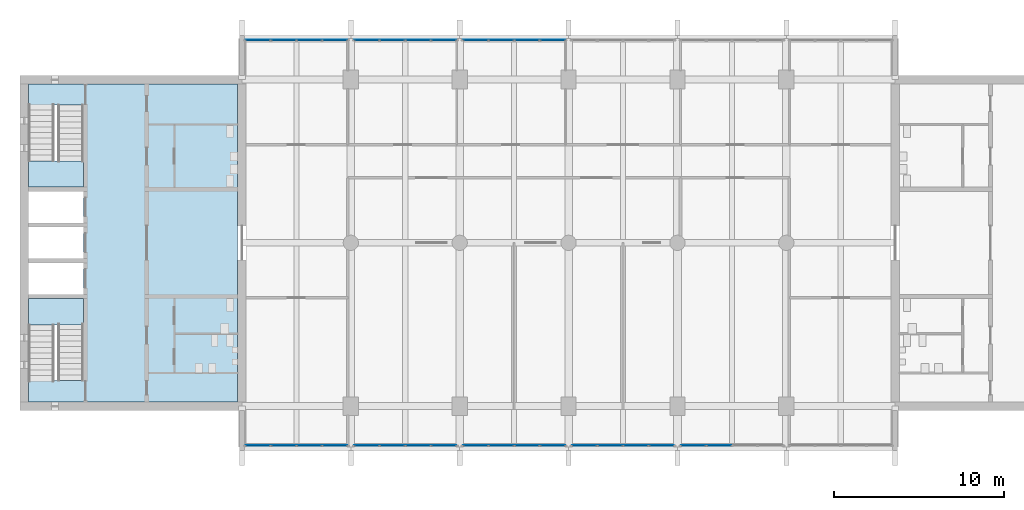
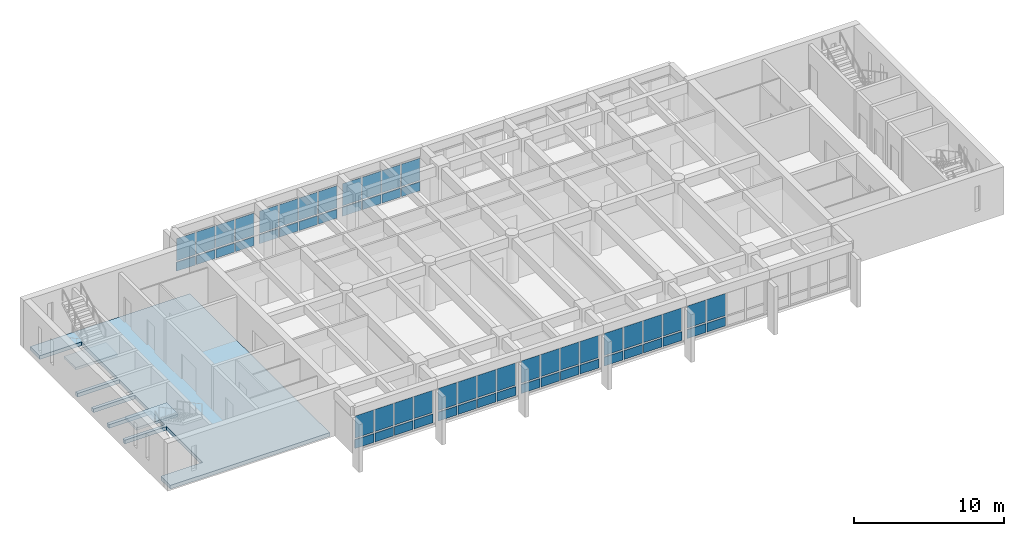
# One storey, part 7 of 15: 60 plates, 3 slabs, 10 elements without a shape of their own.
"""IFC4 building model written with IfcOpenShell, lengths in metres."""

from ifc_helpers import new_model, si_unit, direction, frame, origin, origin_2d, place, context, subcontext, project, spatial, polyline, rectangle, outline, extrude, material, layer, layer_set, type_object, element, aggregate, save


model = new_model("IFC4")

# Units and contexts
model_context = context("Model", 3, precision=1e-05, world=origin(), true_north=direction((0.0, 1.0)))
body_context = subcontext(model_context, "Body", "Model", "MODEL_VIEW")
ifc_project = project(units=[si_unit("LENGTHUNIT", "METRE"), si_unit("AREAUNIT", "SQUARE_METRE"), si_unit("VOLUMEUNIT", "CUBIC_METRE"), si_unit("PLANEANGLEUNIT", "RADIAN"), si_unit("MASSUNIT", "GRAM", prefix="KILO")], contexts=[model_context])

# Site, building, storey
site_placement = place(None, origin())
site = spatial("IfcSite", under=ifc_project, at=site_placement, CompositionType="ELEMENT")
building_placement = place(site_placement, origin())
building = spatial("IfcBuilding", under=site, at=building_placement, Name="Fogon Plaza Fire Station and Headquarters Tower", CompositionType="ELEMENT")
storey_placement = place(building_placement, frame((0.0, 0.0, 44.39990234375)))
storey = spatial("IfcBuildingStorey", under=building, at=storey_placement, Name="L11", CompositionType="ELEMENT", Elevation=44.39990234375)

# Slab
ifc_material_1 = material(Name="Concrete C40", Category="concrete")
ifc_layer_1 = layer(ifc_material_1, 0.300048828125)
ifc_layer_set_1 = layer_set([ifc_layer_1], Name="Concrete C40")
slab_type_1 = type_object("IfcSlabType", Name="Core Floor Slab RC 300", PredefinedType="FLOOR", material=ifc_layer_set_1)
slab_1_placement = place(storey_placement, frame((0.0, 0.0, -0.2998046875)))
element("IfcSlab", 1, at=slab_1_placement, inside=storey, type_object=slab_type_1, Name="Core A floor", PredefinedType="FLOOR", context=body_context, shape_type="SweptSolid", body=[
    extrude(outline(polyline([(13.050048828125, 35.110107421875), (13.050048828125, 33.85009765625), (25.35009765625, 33.85009765625), (25.35009765625, 52.550048828125), (13.050048828125, 52.550048828125), (13.050048828125, 51.2900390625), (16.27490234375, 51.2900390625), (16.27490234375, 46.47509765625), (13.050048828125, 46.47509765625), (13.050048828125, 46.22509765625), (16.27490234375, 46.22509765625), (16.27490234375, 44.375), (13.050048828125, 44.375), (13.050048828125, 44.125), (16.27490234375, 44.125), (16.27490234375, 42.27490234375), (13.050048828125, 42.27490234375), (13.050048828125, 42.02490234375), (16.27490234375, 42.02490234375), (16.27490234375, 40.175048828125), (13.050048828125, 40.175048828125), (13.050048828125, 39.925048828125), (16.27490234375, 39.925048828125), (16.27490234375, 35.110107421875), (13.050048828125, 35.110107421875)])), origin(), (0.0, 0.0, 1.0), 0.2998046875),
])

# Curtain wall, plates
ifc_material_2 = material(Name="Aluminium and glass", Category="aluminium")
ifc_layer_2 = layer(ifc_material_2, 0.14990234375)
ifc_layer_set_2 = layer_set([ifc_layer_2], Name="Aluminium and glass")
curtain_wall_type = type_object("IfcCurtainWallType", Name="Unitised Curtain Wall Run 6100x2880", PredefinedType="NOTDEFINED", material=ifc_layer_set_2)
curtain_wall_1_placement = place(storey_placement, origin())
curtain_wall_1 = element("IfcCurtainWall", 2, at=curtain_wall_1_placement, inside=storey, type_object=curtain_wall_type, Name="CW-6100x2880 S1 L11", PredefinedType="NOTDEFINED")
ifc_material_3 = material(Name="Insulated aluminium spandrel", Category="aluminium")
ifc_layer_3 = layer(ifc_material_3, 0.06005859375)
ifc_layer_set_3 = layer_set([ifc_layer_3], Name="Insulated aluminium spandrel")
plate_type_1 = type_object("IfcPlateType", Name="Insulated Spandrel Panel", PredefinedType="CURTAIN_PANEL", material=ifc_layer_set_3)
plate_1_placement = place(storey_placement, frame((26.534912109375, 31.280029296875, 0.1201171875), z_axis=(0.0, 0.0, 1.0), x_axis=(1.0, 0.0, 0.0)))
plate_1 = element("IfcPlate", 3, at=plate_1_placement, type_object=plate_type_1, Name="SP1 panel 1.1", PredefinedType="CURTAIN_PANEL", context=body_context, shape_type="SweptSolid", body=[
    extrude(rectangle(XDim=1.449951171875, YDim=0.06005859375, at=origin_2d()), origin(), (0.0, 0.0, 1.0), 0.719970703125),
])
plate_2_placement = place(storey_placement, frame((28.044921875, 31.280029296875, 0.1201171875), z_axis=(0.0, 0.0, 1.0), x_axis=(1.0, 0.0, 0.0)))
plate_2 = element("IfcPlate", 4, at=plate_2_placement, type_object=plate_type_1, Name="SP1 panel 2.1", PredefinedType="CURTAIN_PANEL", context=body_context, shape_type="SweptSolid", body=[
    extrude(rectangle(XDim=1.449951171875, YDim=0.06005859375, at=origin_2d()), origin(), (0.0, 0.0, 1.0), 0.719970703125),
])
plate_3_placement = place(storey_placement, frame((29.554931640625, 31.280029296875, 0.1201171875), z_axis=(0.0, 0.0, 1.0), x_axis=(1.0, 0.0, 0.0)))
plate_3 = element("IfcPlate", 5, at=plate_3_placement, type_object=plate_type_1, Name="SP1 panel 3.1", PredefinedType="CURTAIN_PANEL", context=body_context, shape_type="SweptSolid", body=[
    extrude(rectangle(XDim=1.449951171875, YDim=0.06005859375, at=origin_2d()), origin(), (0.0, 0.0, 1.0), 0.719970703125),
])
plate_4_placement = place(storey_placement, frame((31.06494140625, 31.280029296875, 0.1201171875), z_axis=(0.0, 0.0, 1.0), x_axis=(1.0, 0.0, 0.0)))
plate_4 = element("IfcPlate", 6, at=plate_4_placement, type_object=plate_type_1, Name="SP1 panel 4.1", PredefinedType="CURTAIN_PANEL", context=body_context, shape_type="SweptSolid", body=[
    extrude(rectangle(XDim=1.449951171875, YDim=0.06005859375, at=origin_2d()), origin(), (0.0, 0.0, 1.0), 0.719970703125),
])

curtain_wall_2_placement = place(storey_placement, origin())
curtain_wall_2 = element("IfcCurtainWall", 7, at=curtain_wall_2_placement, inside=storey, type_object=curtain_wall_type, Name="CW-6100x2880 S2 L11", PredefinedType="NOTDEFINED")
plate_5_placement = place(storey_placement, frame((32.93505859375, 31.280029296875, 0.1201171875), z_axis=(0.0, 0.0, 1.0), x_axis=(1.0, 0.0, 0.0)))
plate_5 = element("IfcPlate", 8, at=plate_5_placement, type_object=plate_type_1, Name="SP1 panel 1.1", PredefinedType="CURTAIN_PANEL", context=body_context, shape_type="SweptSolid", body=[
    extrude(rectangle(XDim=1.449951171875, YDim=0.06005859375, at=origin_2d()), origin(), (0.0, 0.0, 1.0), 0.719970703125),
])
plate_6_placement = place(storey_placement, frame((34.445068359375, 31.280029296875, 0.1201171875), z_axis=(0.0, 0.0, 1.0), x_axis=(1.0, 0.0, 0.0)))
plate_6 = element("IfcPlate", 9, at=plate_6_placement, type_object=plate_type_1, Name="SP1 panel 2.1", PredefinedType="CURTAIN_PANEL", context=body_context, shape_type="SweptSolid", body=[
    extrude(rectangle(XDim=1.449951171875, YDim=0.06005859375, at=origin_2d()), origin(), (0.0, 0.0, 1.0), 0.719970703125),
])
plate_7_placement = place(storey_placement, frame((35.955078125, 31.280029296875, 0.1201171875), z_axis=(0.0, 0.0, 1.0), x_axis=(1.0, 0.0, 0.0)))
plate_7 = element("IfcPlate", 10, at=plate_7_placement, type_object=plate_type_1, Name="SP1 panel 3.1", PredefinedType="CURTAIN_PANEL", context=body_context, shape_type="SweptSolid", body=[
    extrude(rectangle(XDim=1.449951171875, YDim=0.06005859375, at=origin_2d()), origin(), (0.0, 0.0, 1.0), 0.719970703125),
])
plate_8_placement = place(storey_placement, frame((37.465087890625, 31.280029296875, 0.1201171875), z_axis=(0.0, 0.0, 1.0), x_axis=(1.0, 0.0, 0.0)))
plate_8 = element("IfcPlate", 11, at=plate_8_placement, type_object=plate_type_1, Name="SP1 panel 4.1", PredefinedType="CURTAIN_PANEL", context=body_context, shape_type="SweptSolid", body=[
    extrude(rectangle(XDim=1.449951171875, YDim=0.06005859375, at=origin_2d()), origin(), (0.0, 0.0, 1.0), 0.719970703125),
])

curtain_wall_3_placement = place(storey_placement, origin())
curtain_wall_3 = element("IfcCurtainWall", 12, at=curtain_wall_3_placement, inside=storey, type_object=curtain_wall_type, Name="CW-6100x2880 S3 L11", PredefinedType="NOTDEFINED")
plate_9_placement = place(storey_placement, frame((39.3349609375, 31.280029296875, 0.1201171875), z_axis=(0.0, 0.0, 1.0), x_axis=(1.0, 0.0, 0.0)))
plate_9 = element("IfcPlate", 13, at=plate_9_placement, type_object=plate_type_1, Name="SP1 panel 1.1", PredefinedType="CURTAIN_PANEL", context=body_context, shape_type="SweptSolid", body=[
    extrude(rectangle(XDim=1.449951171875, YDim=0.06005859375, at=origin_2d()), origin(), (0.0, 0.0, 1.0), 0.719970703125),
])
plate_10_placement = place(storey_placement, frame((40.844970703125, 31.280029296875, 0.1201171875), z_axis=(0.0, 0.0, 1.0), x_axis=(1.0, 0.0, 0.0)))
plate_10 = element("IfcPlate", 14, at=plate_10_placement, type_object=plate_type_1, Name="SP1 panel 2.1", PredefinedType="CURTAIN_PANEL", context=body_context, shape_type="SweptSolid", body=[
    extrude(rectangle(XDim=1.449951171875, YDim=0.06005859375, at=origin_2d()), origin(), (0.0, 0.0, 1.0), 0.719970703125),
])
plate_11_placement = place(storey_placement, frame((42.35498046875, 31.280029296875, 0.1201171875), z_axis=(0.0, 0.0, 1.0), x_axis=(1.0, 0.0, 0.0)))
plate_11 = element("IfcPlate", 15, at=plate_11_placement, type_object=plate_type_1, Name="SP1 panel 3.1", PredefinedType="CURTAIN_PANEL", context=body_context, shape_type="SweptSolid", body=[
    extrude(rectangle(XDim=1.449951171875, YDim=0.06005859375, at=origin_2d()), origin(), (0.0, 0.0, 1.0), 0.719970703125),
])
plate_12_placement = place(storey_placement, frame((43.864990234375, 31.280029296875, 0.1201171875), z_axis=(0.0, 0.0, 1.0), x_axis=(1.0, 0.0, 0.0)))
plate_12 = element("IfcPlate", 16, at=plate_12_placement, type_object=plate_type_1, Name="SP1 panel 4.1", PredefinedType="CURTAIN_PANEL", context=body_context, shape_type="SweptSolid", body=[
    extrude(rectangle(XDim=1.449951171875, YDim=0.06005859375, at=origin_2d()), origin(), (0.0, 0.0, 1.0), 0.719970703125),
])

curtain_wall_4_placement = place(storey_placement, origin())
curtain_wall_4 = element("IfcCurtainWall", 17, at=curtain_wall_4_placement, inside=storey, type_object=curtain_wall_type, Name="CW-6100x2880 S4 L11", PredefinedType="NOTDEFINED")
plate_13_placement = place(storey_placement, frame((45.735107421875, 31.280029296875, 0.1201171875), z_axis=(0.0, 0.0, 1.0), x_axis=(1.0, 0.0, 0.0)))
plate_13 = element("IfcPlate", 18, at=plate_13_placement, type_object=plate_type_1, Name="SP1 panel 1.1", PredefinedType="CURTAIN_PANEL", context=body_context, shape_type="SweptSolid", body=[
    extrude(rectangle(XDim=1.449951171875, YDim=0.06005859375, at=origin_2d()), origin(), (0.0, 0.0, 1.0), 0.719970703125),
])
plate_14_placement = place(storey_placement, frame((47.2451171875, 31.280029296875, 0.1201171875), z_axis=(0.0, 0.0, 1.0), x_axis=(1.0, 0.0, 0.0)))
plate_14 = element("IfcPlate", 19, at=plate_14_placement, type_object=plate_type_1, Name="SP1 panel 2.1", PredefinedType="CURTAIN_PANEL", context=body_context, shape_type="SweptSolid", body=[
    extrude(rectangle(XDim=1.449951171875, YDim=0.06005859375, at=origin_2d()), origin(), (0.0, 0.0, 1.0), 0.719970703125),
])
plate_15_placement = place(storey_placement, frame((48.7548828125, 31.280029296875, 0.1201171875), z_axis=(0.0, 0.0, 1.0), x_axis=(1.0, 0.0, 0.0)))
plate_15 = element("IfcPlate", 20, at=plate_15_placement, type_object=plate_type_1, Name="SP1 panel 3.1", PredefinedType="CURTAIN_PANEL", context=body_context, shape_type="SweptSolid", body=[
    extrude(rectangle(XDim=1.449951171875, YDim=0.06005859375, at=origin_2d()), origin(), (0.0, 0.0, 1.0), 0.719970703125),
])
plate_16_placement = place(storey_placement, frame((50.264892578125, 31.280029296875, 0.1201171875), z_axis=(0.0, 0.0, 1.0), x_axis=(1.0, 0.0, 0.0)))
plate_16 = element("IfcPlate", 21, at=plate_16_placement, type_object=plate_type_1, Name="SP1 panel 4.1", PredefinedType="CURTAIN_PANEL", context=body_context, shape_type="SweptSolid", body=[
    extrude(rectangle(XDim=1.449951171875, YDim=0.06005859375, at=origin_2d()), origin(), (0.0, 0.0, 1.0), 0.719970703125),
])

curtain_wall_5_placement = place(storey_placement, origin())
curtain_wall_5 = element("IfcCurtainWall", 22, at=curtain_wall_5_placement, inside=storey, type_object=curtain_wall_type, Name="CW-6100x2880 S5 L11", PredefinedType="NOTDEFINED")
plate_17_placement = place(storey_placement, frame((52.135009765625, 31.280029296875, 0.1201171875), z_axis=(0.0, 0.0, 1.0), x_axis=(1.0, 0.0, 0.0)))
plate_17 = element("IfcPlate", 23, at=plate_17_placement, type_object=plate_type_1, Name="SP1 panel 1.1", PredefinedType="CURTAIN_PANEL", context=body_context, shape_type="SweptSolid", body=[
    extrude(rectangle(XDim=1.449951171875, YDim=0.06005859375, at=origin_2d()), origin(), (0.0, 0.0, 1.0), 0.719970703125),
])
plate_18_placement = place(storey_placement, frame((53.64501953125, 31.280029296875, 0.1201171875), z_axis=(0.0, 0.0, 1.0), x_axis=(1.0, 0.0, 0.0)))
plate_18 = element("IfcPlate", 24, at=plate_18_placement, type_object=plate_type_1, Name="SP1 panel 2.1", PredefinedType="CURTAIN_PANEL", context=body_context, shape_type="SweptSolid", body=[
    extrude(rectangle(XDim=1.449951171875, YDim=0.06005859375, at=origin_2d()), origin(), (0.0, 0.0, 1.0), 0.719970703125),
])

curtain_wall_6_placement = place(storey_placement, origin())
curtain_wall_6 = element("IfcCurtainWall", 25, at=curtain_wall_6_placement, inside=storey, type_object=curtain_wall_type, Name="CW-6100x2880 N1 L11", PredefinedType="NOTDEFINED")
plate_19_placement = place(storey_placement, frame((26.534912109375, 55.1201171875, 0.1201171875), z_axis=(0.0, 0.0, 1.0), x_axis=(1.0, 0.0, 0.0)))
plate_19 = element("IfcPlate", 26, at=plate_19_placement, type_object=plate_type_1, Name="SP1 panel 1.1", PredefinedType="CURTAIN_PANEL", context=body_context, shape_type="SweptSolid", body=[
    extrude(rectangle(XDim=1.449951171875, YDim=0.06005859375, at=origin_2d()), origin(), (0.0, 0.0, 1.0), 0.719970703125),
])
plate_20_placement = place(storey_placement, frame((28.044921875, 55.1201171875, 0.1201171875), z_axis=(0.0, 0.0, 1.0), x_axis=(1.0, 0.0, 0.0)))
plate_20 = element("IfcPlate", 27, at=plate_20_placement, type_object=plate_type_1, Name="SP1 panel 2.1", PredefinedType="CURTAIN_PANEL", context=body_context, shape_type="SweptSolid", body=[
    extrude(rectangle(XDim=1.449951171875, YDim=0.06005859375, at=origin_2d()), origin(), (0.0, 0.0, 1.0), 0.719970703125),
])
plate_21_placement = place(storey_placement, frame((29.554931640625, 55.1201171875, 0.1201171875), z_axis=(0.0, 0.0, 1.0), x_axis=(1.0, 0.0, 0.0)))
plate_21 = element("IfcPlate", 28, at=plate_21_placement, type_object=plate_type_1, Name="SP1 panel 3.1", PredefinedType="CURTAIN_PANEL", context=body_context, shape_type="SweptSolid", body=[
    extrude(rectangle(XDim=1.449951171875, YDim=0.06005859375, at=origin_2d()), origin(), (0.0, 0.0, 1.0), 0.719970703125),
])
plate_22_placement = place(storey_placement, frame((31.06494140625, 55.1201171875, 0.1201171875), z_axis=(0.0, 0.0, 1.0), x_axis=(1.0, 0.0, 0.0)))
plate_22 = element("IfcPlate", 29, at=plate_22_placement, type_object=plate_type_1, Name="SP1 panel 4.1", PredefinedType="CURTAIN_PANEL", context=body_context, shape_type="SweptSolid", body=[
    extrude(rectangle(XDim=1.449951171875, YDim=0.06005859375, at=origin_2d()), origin(), (0.0, 0.0, 1.0), 0.719970703125),
])

curtain_wall_7_placement = place(storey_placement, origin())
curtain_wall_7 = element("IfcCurtainWall", 30, at=curtain_wall_7_placement, inside=storey, type_object=curtain_wall_type, Name="CW-6100x2880 N2 L11", PredefinedType="NOTDEFINED")
plate_23_placement = place(storey_placement, frame((32.93505859375, 55.1201171875, 0.1201171875), z_axis=(0.0, 0.0, 1.0), x_axis=(1.0, 0.0, 0.0)))
plate_23 = element("IfcPlate", 31, at=plate_23_placement, type_object=plate_type_1, Name="SP1 panel 1.1", PredefinedType="CURTAIN_PANEL", context=body_context, shape_type="SweptSolid", body=[
    extrude(rectangle(XDim=1.449951171875, YDim=0.06005859375, at=origin_2d()), origin(), (0.0, 0.0, 1.0), 0.719970703125),
])
plate_24_placement = place(storey_placement, frame((34.445068359375, 55.1201171875, 0.1201171875), z_axis=(0.0, 0.0, 1.0), x_axis=(1.0, 0.0, 0.0)))
plate_24 = element("IfcPlate", 32, at=plate_24_placement, type_object=plate_type_1, Name="SP1 panel 2.1", PredefinedType="CURTAIN_PANEL", context=body_context, shape_type="SweptSolid", body=[
    extrude(rectangle(XDim=1.449951171875, YDim=0.06005859375, at=origin_2d()), origin(), (0.0, 0.0, 1.0), 0.719970703125),
])
plate_25_placement = place(storey_placement, frame((35.955078125, 55.1201171875, 0.1201171875), z_axis=(0.0, 0.0, 1.0), x_axis=(1.0, 0.0, 0.0)))
plate_25 = element("IfcPlate", 33, at=plate_25_placement, type_object=plate_type_1, Name="SP1 panel 3.1", PredefinedType="CURTAIN_PANEL", context=body_context, shape_type="SweptSolid", body=[
    extrude(rectangle(XDim=1.449951171875, YDim=0.06005859375, at=origin_2d()), origin(), (0.0, 0.0, 1.0), 0.719970703125),
])
plate_26_placement = place(storey_placement, frame((37.465087890625, 55.1201171875, 0.1201171875), z_axis=(0.0, 0.0, 1.0), x_axis=(1.0, 0.0, 0.0)))
plate_26 = element("IfcPlate", 34, at=plate_26_placement, type_object=plate_type_1, Name="SP1 panel 4.1", PredefinedType="CURTAIN_PANEL", context=body_context, shape_type="SweptSolid", body=[
    extrude(rectangle(XDim=1.449951171875, YDim=0.06005859375, at=origin_2d()), origin(), (0.0, 0.0, 1.0), 0.719970703125),
])

curtain_wall_8_placement = place(storey_placement, origin())
curtain_wall_8 = element("IfcCurtainWall", 35, at=curtain_wall_8_placement, inside=storey, type_object=curtain_wall_type, Name="CW-6100x2880 N3 L11", PredefinedType="NOTDEFINED")
plate_27_placement = place(storey_placement, frame((39.3349609375, 55.1201171875, 0.1201171875), z_axis=(0.0, 0.0, 1.0), x_axis=(1.0, 0.0, 0.0)))
plate_27 = element("IfcPlate", 36, at=plate_27_placement, type_object=plate_type_1, Name="SP1 panel 1.1", PredefinedType="CURTAIN_PANEL", context=body_context, shape_type="SweptSolid", body=[
    extrude(rectangle(XDim=1.449951171875, YDim=0.06005859375, at=origin_2d()), origin(), (0.0, 0.0, 1.0), 0.719970703125),
])
plate_28_placement = place(storey_placement, frame((40.844970703125, 55.1201171875, 0.1201171875), z_axis=(0.0, 0.0, 1.0), x_axis=(1.0, 0.0, 0.0)))
plate_28 = element("IfcPlate", 37, at=plate_28_placement, type_object=plate_type_1, Name="SP1 panel 2.1", PredefinedType="CURTAIN_PANEL", context=body_context, shape_type="SweptSolid", body=[
    extrude(rectangle(XDim=1.449951171875, YDim=0.06005859375, at=origin_2d()), origin(), (0.0, 0.0, 1.0), 0.719970703125),
])
plate_29_placement = place(storey_placement, frame((42.35498046875, 55.1201171875, 0.1201171875), z_axis=(0.0, 0.0, 1.0), x_axis=(1.0, 0.0, 0.0)))
plate_29 = element("IfcPlate", 38, at=plate_29_placement, type_object=plate_type_1, Name="SP1 panel 3.1", PredefinedType="CURTAIN_PANEL", context=body_context, shape_type="SweptSolid", body=[
    extrude(rectangle(XDim=1.449951171875, YDim=0.06005859375, at=origin_2d()), origin(), (0.0, 0.0, 1.0), 0.719970703125),
])
plate_30_placement = place(storey_placement, frame((43.864990234375, 55.1201171875, 0.1201171875), z_axis=(0.0, 0.0, 1.0), x_axis=(1.0, 0.0, 0.0)))
plate_30 = element("IfcPlate", 39, at=plate_30_placement, type_object=plate_type_1, Name="SP1 panel 4.1", PredefinedType="CURTAIN_PANEL", context=body_context, shape_type="SweptSolid", body=[
    extrude(rectangle(XDim=1.449951171875, YDim=0.06005859375, at=origin_2d()), origin(), (0.0, 0.0, 1.0), 0.719970703125),
])

# Stair, slab
ifc_material_4 = material(Name="Concrete C40", Category="concrete")
stair_type = type_object("IfcStairType", Name="Exit Stair Two Flights", PredefinedType="TWO_STRAIGHT_RUN_STAIR", material=ifc_material_4)
stair_1_placement = place(storey_placement, origin())
stair_1 = element("IfcStair", 40, at=stair_1_placement, inside=storey, type_object=stair_type, Name="Stair ST1", PredefinedType="TWO_STRAIGHT_RUN_STAIR")
ifc_material_5 = material(Name="Concrete C40", Category="concrete")
ifc_layer_4 = layer(ifc_material_5, 0.300048828125)
ifc_layer_set_4 = layer_set([ifc_layer_4], Name="Concrete C40")
slab_type_2 = type_object("IfcSlabType", Name="Stair Landing RC 300", PredefinedType="LANDING", material=ifc_layer_set_4)
slab_2_placement = place(storey_placement, frame((0.0, 0.0, 1.75)))
slab_2 = element("IfcSlab", 41, at=slab_2_placement, type_object=slab_type_2, Name="ST1 landing L13", PredefinedType="LANDING", context=body_context, shape_type="SweptSolid", body=[
    extrude(outline(polyline([(16.27490234375, 38.375), (16.27490234375, 39.925048828125), (13.050048828125, 39.925048828125), (13.050048828125, 38.375), (16.27490234375, 38.375)])), origin(), (0.0, 0.0, 1.0), 0.2001953125),
])
aggregate(stair_1, [slab_2])

stair_2_placement = place(storey_placement, origin())
stair_2 = element("IfcStair", 42, at=stair_2_placement, inside=storey, type_object=stair_type, Name="Stair ST2", PredefinedType="TWO_STRAIGHT_RUN_STAIR")
slab_3_placement = place(storey_placement, frame((0.0, 0.0, 1.75)))
slab_3 = element("IfcSlab", 43, at=slab_3_placement, type_object=slab_type_2, Name="ST2 landing L13", PredefinedType="LANDING", context=body_context, shape_type="SweptSolid", body=[
    extrude(outline(polyline([(16.27490234375, 46.47509765625), (16.27490234375, 48.02490234375), (13.050048828125, 48.02490234375), (13.050048828125, 46.47509765625), (16.27490234375, 46.47509765625)])), origin(), (0.0, 0.0, 1.0), 0.2001953125),
])
aggregate(stair_2, [slab_3])

# Plate
ifc_material_6 = material(Name="Low-e double glazing", Category="glass")
ifc_layer_5 = layer(ifc_material_6, 0.028076171875)
ifc_layer_set_5 = layer_set([ifc_layer_5], Name="Low-e double glazing")
plate_type_2 = type_object("IfcPlateType", Name="Vision Glass Panel 1450x1800", PredefinedType="CURTAIN_PANEL", material=ifc_layer_set_5)
plate_31_placement = place(storey_placement, frame((26.534912109375, 31.280029296875, 0.9599609375), z_axis=(0.0, 0.0, 1.0), x_axis=(1.0, 0.0, 0.0)))
plate_31 = element("IfcPlate", 44, at=plate_31_placement, type_object=plate_type_2, Name="VG-1450x1800 panel 1.2", PredefinedType="CURTAIN_PANEL", context=body_context, shape_type="SweptSolid", body=[
    extrude(rectangle(XDim=1.449951171875, YDim=0.028076171875, at=origin_2d()), origin(), (0.0, 0.0, 1.0), 1.800048828125),
])

plate_32_placement = place(storey_placement, frame((28.044921875, 31.280029296875, 0.9599609375), z_axis=(0.0, 0.0, 1.0), x_axis=(1.0, 0.0, 0.0)))
plate_32 = element("IfcPlate", 45, at=plate_32_placement, type_object=plate_type_2, Name="VG-1450x1800 panel 2.2", PredefinedType="CURTAIN_PANEL", context=body_context, shape_type="SweptSolid", body=[
    extrude(rectangle(XDim=1.449951171875, YDim=0.028076171875, at=origin_2d()), origin(), (0.0, 0.0, 1.0), 1.800048828125),
])

plate_33_placement = place(storey_placement, frame((29.554931640625, 31.280029296875, 0.9599609375), z_axis=(0.0, 0.0, 1.0), x_axis=(1.0, 0.0, 0.0)))
plate_33 = element("IfcPlate", 46, at=plate_33_placement, type_object=plate_type_2, Name="VG-1450x1800 panel 3.2", PredefinedType="CURTAIN_PANEL", context=body_context, shape_type="SweptSolid", body=[
    extrude(rectangle(XDim=1.449951171875, YDim=0.028076171875, at=origin_2d()), origin(), (0.0, 0.0, 1.0), 1.800048828125),
])

plate_34_placement = place(storey_placement, frame((31.06494140625, 31.280029296875, 0.9599609375), z_axis=(0.0, 0.0, 1.0), x_axis=(1.0, 0.0, 0.0)))
plate_34 = element("IfcPlate", 47, at=plate_34_placement, type_object=plate_type_2, Name="VG-1450x1800 panel 4.2", PredefinedType="CURTAIN_PANEL", context=body_context, shape_type="SweptSolid", body=[
    extrude(rectangle(XDim=1.449951171875, YDim=0.028076171875, at=origin_2d()), origin(), (0.0, 0.0, 1.0), 1.800048828125),
])

aggregate(curtain_wall_1, [plate_1, plate_31, plate_2, plate_32, plate_3, plate_33, plate_4, plate_34])

plate_35_placement = place(storey_placement, frame((32.93505859375, 31.280029296875, 0.9599609375), z_axis=(0.0, 0.0, 1.0), x_axis=(1.0, 0.0, 0.0)))
plate_35 = element("IfcPlate", 48, at=plate_35_placement, type_object=plate_type_2, Name="VG-1450x1800 panel 1.2", PredefinedType="CURTAIN_PANEL", context=body_context, shape_type="SweptSolid", body=[
    extrude(rectangle(XDim=1.449951171875, YDim=0.028076171875, at=origin_2d()), origin(), (0.0, 0.0, 1.0), 1.800048828125),
])

plate_36_placement = place(storey_placement, frame((34.445068359375, 31.280029296875, 0.9599609375), z_axis=(0.0, 0.0, 1.0), x_axis=(1.0, 0.0, 0.0)))
plate_36 = element("IfcPlate", 49, at=plate_36_placement, type_object=plate_type_2, Name="VG-1450x1800 panel 2.2", PredefinedType="CURTAIN_PANEL", context=body_context, shape_type="SweptSolid", body=[
    extrude(rectangle(XDim=1.449951171875, YDim=0.028076171875, at=origin_2d()), origin(), (0.0, 0.0, 1.0), 1.800048828125),
])

plate_37_placement = place(storey_placement, frame((35.955078125, 31.280029296875, 0.9599609375), z_axis=(0.0, 0.0, 1.0), x_axis=(1.0, 0.0, 0.0)))
plate_37 = element("IfcPlate", 50, at=plate_37_placement, type_object=plate_type_2, Name="VG-1450x1800 panel 3.2", PredefinedType="CURTAIN_PANEL", context=body_context, shape_type="SweptSolid", body=[
    extrude(rectangle(XDim=1.449951171875, YDim=0.028076171875, at=origin_2d()), origin(), (0.0, 0.0, 1.0), 1.800048828125),
])

plate_38_placement = place(storey_placement, frame((37.465087890625, 31.280029296875, 0.9599609375), z_axis=(0.0, 0.0, 1.0), x_axis=(1.0, 0.0, 0.0)))
plate_38 = element("IfcPlate", 51, at=plate_38_placement, type_object=plate_type_2, Name="VG-1450x1800 panel 4.2", PredefinedType="CURTAIN_PANEL", context=body_context, shape_type="SweptSolid", body=[
    extrude(rectangle(XDim=1.449951171875, YDim=0.028076171875, at=origin_2d()), origin(), (0.0, 0.0, 1.0), 1.800048828125),
])

aggregate(curtain_wall_2, [plate_5, plate_35, plate_6, plate_36, plate_7, plate_37, plate_8, plate_38])

plate_39_placement = place(storey_placement, frame((39.3349609375, 31.280029296875, 0.9599609375), z_axis=(0.0, 0.0, 1.0), x_axis=(1.0, 0.0, 0.0)))
plate_39 = element("IfcPlate", 52, at=plate_39_placement, type_object=plate_type_2, Name="VG-1450x1800 panel 1.2", PredefinedType="CURTAIN_PANEL", context=body_context, shape_type="SweptSolid", body=[
    extrude(rectangle(XDim=1.449951171875, YDim=0.028076171875, at=origin_2d()), origin(), (0.0, 0.0, 1.0), 1.800048828125),
])

plate_40_placement = place(storey_placement, frame((40.844970703125, 31.280029296875, 0.9599609375), z_axis=(0.0, 0.0, 1.0), x_axis=(1.0, 0.0, 0.0)))
plate_40 = element("IfcPlate", 53, at=plate_40_placement, type_object=plate_type_2, Name="VG-1450x1800 panel 2.2", PredefinedType="CURTAIN_PANEL", context=body_context, shape_type="SweptSolid", body=[
    extrude(rectangle(XDim=1.449951171875, YDim=0.028076171875, at=origin_2d()), origin(), (0.0, 0.0, 1.0), 1.800048828125),
])

plate_41_placement = place(storey_placement, frame((42.35498046875, 31.280029296875, 0.9599609375), z_axis=(0.0, 0.0, 1.0), x_axis=(1.0, 0.0, 0.0)))
plate_41 = element("IfcPlate", 54, at=plate_41_placement, type_object=plate_type_2, Name="VG-1450x1800 panel 3.2", PredefinedType="CURTAIN_PANEL", context=body_context, shape_type="SweptSolid", body=[
    extrude(rectangle(XDim=1.449951171875, YDim=0.028076171875, at=origin_2d()), origin(), (0.0, 0.0, 1.0), 1.800048828125),
])

plate_42_placement = place(storey_placement, frame((43.864990234375, 31.280029296875, 0.9599609375), z_axis=(0.0, 0.0, 1.0), x_axis=(1.0, 0.0, 0.0)))
plate_42 = element("IfcPlate", 55, at=plate_42_placement, type_object=plate_type_2, Name="VG-1450x1800 panel 4.2", PredefinedType="CURTAIN_PANEL", context=body_context, shape_type="SweptSolid", body=[
    extrude(rectangle(XDim=1.449951171875, YDim=0.028076171875, at=origin_2d()), origin(), (0.0, 0.0, 1.0), 1.800048828125),
])

aggregate(curtain_wall_3, [plate_9, plate_39, plate_10, plate_40, plate_11, plate_41, plate_12, plate_42])

plate_43_placement = place(storey_placement, frame((45.735107421875, 31.280029296875, 0.9599609375), z_axis=(0.0, 0.0, 1.0), x_axis=(1.0, 0.0, 0.0)))
plate_43 = element("IfcPlate", 56, at=plate_43_placement, type_object=plate_type_2, Name="VG-1450x1800 panel 1.2", PredefinedType="CURTAIN_PANEL", context=body_context, shape_type="SweptSolid", body=[
    extrude(rectangle(XDim=1.449951171875, YDim=0.028076171875, at=origin_2d()), origin(), (0.0, 0.0, 1.0), 1.800048828125),
])

plate_44_placement = place(storey_placement, frame((47.2451171875, 31.280029296875, 0.9599609375), z_axis=(0.0, 0.0, 1.0), x_axis=(1.0, 0.0, 0.0)))
plate_44 = element("IfcPlate", 57, at=plate_44_placement, type_object=plate_type_2, Name="VG-1450x1800 panel 2.2", PredefinedType="CURTAIN_PANEL", context=body_context, shape_type="SweptSolid", body=[
    extrude(rectangle(XDim=1.449951171875, YDim=0.028076171875, at=origin_2d()), origin(), (0.0, 0.0, 1.0), 1.800048828125),
])

plate_45_placement = place(storey_placement, frame((48.7548828125, 31.280029296875, 0.9599609375), z_axis=(0.0, 0.0, 1.0), x_axis=(1.0, 0.0, 0.0)))
plate_45 = element("IfcPlate", 58, at=plate_45_placement, type_object=plate_type_2, Name="VG-1450x1800 panel 3.2", PredefinedType="CURTAIN_PANEL", context=body_context, shape_type="SweptSolid", body=[
    extrude(rectangle(XDim=1.449951171875, YDim=0.028076171875, at=origin_2d()), origin(), (0.0, 0.0, 1.0), 1.800048828125),
])

plate_46_placement = place(storey_placement, frame((50.264892578125, 31.280029296875, 0.9599609375), z_axis=(0.0, 0.0, 1.0), x_axis=(1.0, 0.0, 0.0)))
plate_46 = element("IfcPlate", 59, at=plate_46_placement, type_object=plate_type_2, Name="VG-1450x1800 panel 4.2", PredefinedType="CURTAIN_PANEL", context=body_context, shape_type="SweptSolid", body=[
    extrude(rectangle(XDim=1.449951171875, YDim=0.028076171875, at=origin_2d()), origin(), (0.0, 0.0, 1.0), 1.800048828125),
])

aggregate(curtain_wall_4, [plate_13, plate_43, plate_14, plate_44, plate_15, plate_45, plate_16, plate_46])

plate_47_placement = place(storey_placement, frame((52.135009765625, 31.280029296875, 0.9599609375), z_axis=(0.0, 0.0, 1.0), x_axis=(1.0, 0.0, 0.0)))
plate_47 = element("IfcPlate", 60, at=plate_47_placement, type_object=plate_type_2, Name="VG-1450x1800 panel 1.2", PredefinedType="CURTAIN_PANEL", context=body_context, shape_type="SweptSolid", body=[
    extrude(rectangle(XDim=1.449951171875, YDim=0.028076171875, at=origin_2d()), origin(), (0.0, 0.0, 1.0), 1.800048828125),
])

plate_48_placement = place(storey_placement, frame((53.64501953125, 31.280029296875, 0.9599609375), z_axis=(0.0, 0.0, 1.0), x_axis=(1.0, 0.0, 0.0)))
plate_48 = element("IfcPlate", 61, at=plate_48_placement, type_object=plate_type_2, Name="VG-1450x1800 panel 2.2", PredefinedType="CURTAIN_PANEL", context=body_context, shape_type="SweptSolid", body=[
    extrude(rectangle(XDim=1.449951171875, YDim=0.028076171875, at=origin_2d()), origin(), (0.0, 0.0, 1.0), 1.800048828125),
])

aggregate(curtain_wall_5, [plate_17, plate_47, plate_18, plate_48])

plate_49_placement = place(storey_placement, frame((26.534912109375, 55.1201171875, 0.9599609375), z_axis=(0.0, 0.0, 1.0), x_axis=(1.0, 0.0, 0.0)))
plate_49 = element("IfcPlate", 62, at=plate_49_placement, type_object=plate_type_2, Name="VG-1450x1800 panel 1.2", PredefinedType="CURTAIN_PANEL", context=body_context, shape_type="SweptSolid", body=[
    extrude(rectangle(XDim=1.449951171875, YDim=0.028076171875, at=origin_2d()), origin(), (0.0, 0.0, 1.0), 1.800048828125),
])

plate_50_placement = place(storey_placement, frame((28.044921875, 55.1201171875, 0.9599609375), z_axis=(0.0, 0.0, 1.0), x_axis=(1.0, 0.0, 0.0)))
plate_50 = element("IfcPlate", 63, at=plate_50_placement, type_object=plate_type_2, Name="VG-1450x1800 panel 2.2", PredefinedType="CURTAIN_PANEL", context=body_context, shape_type="SweptSolid", body=[
    extrude(rectangle(XDim=1.449951171875, YDim=0.028076171875, at=origin_2d()), origin(), (0.0, 0.0, 1.0), 1.800048828125),
])

plate_51_placement = place(storey_placement, frame((29.554931640625, 55.1201171875, 0.9599609375), z_axis=(0.0, 0.0, 1.0), x_axis=(1.0, 0.0, 0.0)))
plate_51 = element("IfcPlate", 64, at=plate_51_placement, type_object=plate_type_2, Name="VG-1450x1800 panel 3.2", PredefinedType="CURTAIN_PANEL", context=body_context, shape_type="SweptSolid", body=[
    extrude(rectangle(XDim=1.449951171875, YDim=0.028076171875, at=origin_2d()), origin(), (0.0, 0.0, 1.0), 1.800048828125),
])

plate_52_placement = place(storey_placement, frame((31.06494140625, 55.1201171875, 0.9599609375), z_axis=(0.0, 0.0, 1.0), x_axis=(1.0, 0.0, 0.0)))
plate_52 = element("IfcPlate", 65, at=plate_52_placement, type_object=plate_type_2, Name="VG-1450x1800 panel 4.2", PredefinedType="CURTAIN_PANEL", context=body_context, shape_type="SweptSolid", body=[
    extrude(rectangle(XDim=1.449951171875, YDim=0.028076171875, at=origin_2d()), origin(), (0.0, 0.0, 1.0), 1.800048828125),
])

aggregate(curtain_wall_6, [plate_19, plate_49, plate_20, plate_50, plate_21, plate_51, plate_22, plate_52])

plate_53_placement = place(storey_placement, frame((32.93505859375, 55.1201171875, 0.9599609375), z_axis=(0.0, 0.0, 1.0), x_axis=(1.0, 0.0, 0.0)))
plate_53 = element("IfcPlate", 66, at=plate_53_placement, type_object=plate_type_2, Name="VG-1450x1800 panel 1.2", PredefinedType="CURTAIN_PANEL", context=body_context, shape_type="SweptSolid", body=[
    extrude(rectangle(XDim=1.449951171875, YDim=0.028076171875, at=origin_2d()), origin(), (0.0, 0.0, 1.0), 1.800048828125),
])

plate_54_placement = place(storey_placement, frame((34.445068359375, 55.1201171875, 0.9599609375), z_axis=(0.0, 0.0, 1.0), x_axis=(1.0, 0.0, 0.0)))
plate_54 = element("IfcPlate", 67, at=plate_54_placement, type_object=plate_type_2, Name="VG-1450x1800 panel 2.2", PredefinedType="CURTAIN_PANEL", context=body_context, shape_type="SweptSolid", body=[
    extrude(rectangle(XDim=1.449951171875, YDim=0.028076171875, at=origin_2d()), origin(), (0.0, 0.0, 1.0), 1.800048828125),
])

plate_55_placement = place(storey_placement, frame((35.955078125, 55.1201171875, 0.9599609375), z_axis=(0.0, 0.0, 1.0), x_axis=(1.0, 0.0, 0.0)))
plate_55 = element("IfcPlate", 68, at=plate_55_placement, type_object=plate_type_2, Name="VG-1450x1800 panel 3.2", PredefinedType="CURTAIN_PANEL", context=body_context, shape_type="SweptSolid", body=[
    extrude(rectangle(XDim=1.449951171875, YDim=0.028076171875, at=origin_2d()), origin(), (0.0, 0.0, 1.0), 1.800048828125),
])

plate_56_placement = place(storey_placement, frame((37.465087890625, 55.1201171875, 0.9599609375), z_axis=(0.0, 0.0, 1.0), x_axis=(1.0, 0.0, 0.0)))
plate_56 = element("IfcPlate", 69, at=plate_56_placement, type_object=plate_type_2, Name="VG-1450x1800 panel 4.2", PredefinedType="CURTAIN_PANEL", context=body_context, shape_type="SweptSolid", body=[
    extrude(rectangle(XDim=1.449951171875, YDim=0.028076171875, at=origin_2d()), origin(), (0.0, 0.0, 1.0), 1.800048828125),
])

aggregate(curtain_wall_7, [plate_23, plate_53, plate_24, plate_54, plate_25, plate_55, plate_26, plate_56])

plate_57_placement = place(storey_placement, frame((39.3349609375, 55.1201171875, 0.9599609375), z_axis=(0.0, 0.0, 1.0), x_axis=(1.0, 0.0, 0.0)))
plate_57 = element("IfcPlate", 70, at=plate_57_placement, type_object=plate_type_2, Name="VG-1450x1800 panel 1.2", PredefinedType="CURTAIN_PANEL", context=body_context, shape_type="SweptSolid", body=[
    extrude(rectangle(XDim=1.449951171875, YDim=0.028076171875, at=origin_2d()), origin(), (0.0, 0.0, 1.0), 1.800048828125),
])

plate_58_placement = place(storey_placement, frame((40.844970703125, 55.1201171875, 0.9599609375), z_axis=(0.0, 0.0, 1.0), x_axis=(1.0, 0.0, 0.0)))
plate_58 = element("IfcPlate", 71, at=plate_58_placement, type_object=plate_type_2, Name="VG-1450x1800 panel 2.2", PredefinedType="CURTAIN_PANEL", context=body_context, shape_type="SweptSolid", body=[
    extrude(rectangle(XDim=1.449951171875, YDim=0.028076171875, at=origin_2d()), origin(), (0.0, 0.0, 1.0), 1.800048828125),
])

plate_59_placement = place(storey_placement, frame((42.35498046875, 55.1201171875, 0.9599609375), z_axis=(0.0, 0.0, 1.0), x_axis=(1.0, 0.0, 0.0)))
plate_59 = element("IfcPlate", 72, at=plate_59_placement, type_object=plate_type_2, Name="VG-1450x1800 panel 3.2", PredefinedType="CURTAIN_PANEL", context=body_context, shape_type="SweptSolid", body=[
    extrude(rectangle(XDim=1.449951171875, YDim=0.028076171875, at=origin_2d()), origin(), (0.0, 0.0, 1.0), 1.800048828125),
])

plate_60_placement = place(storey_placement, frame((43.864990234375, 55.1201171875, 0.9599609375), z_axis=(0.0, 0.0, 1.0), x_axis=(1.0, 0.0, 0.0)))
plate_60 = element("IfcPlate", 73, at=plate_60_placement, type_object=plate_type_2, Name="VG-1450x1800 panel 4.2", PredefinedType="CURTAIN_PANEL", context=body_context, shape_type="SweptSolid", body=[
    extrude(rectangle(XDim=1.449951171875, YDim=0.028076171875, at=origin_2d()), origin(), (0.0, 0.0, 1.0), 1.800048828125),
])

aggregate(curtain_wall_8, [plate_27, plate_57, plate_28, plate_58, plate_29, plate_59, plate_30, plate_60])

save(model, "model.ifc")
